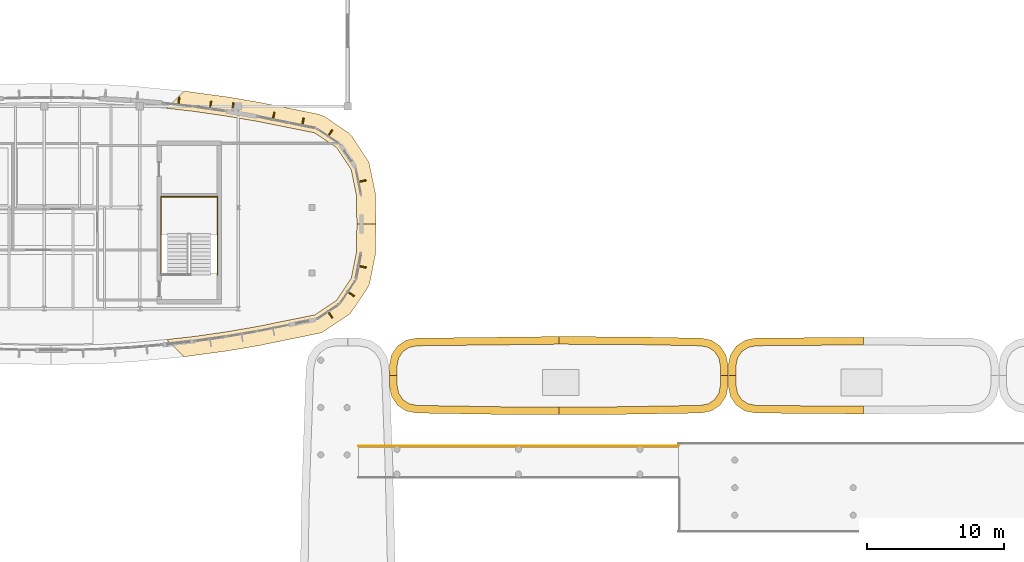
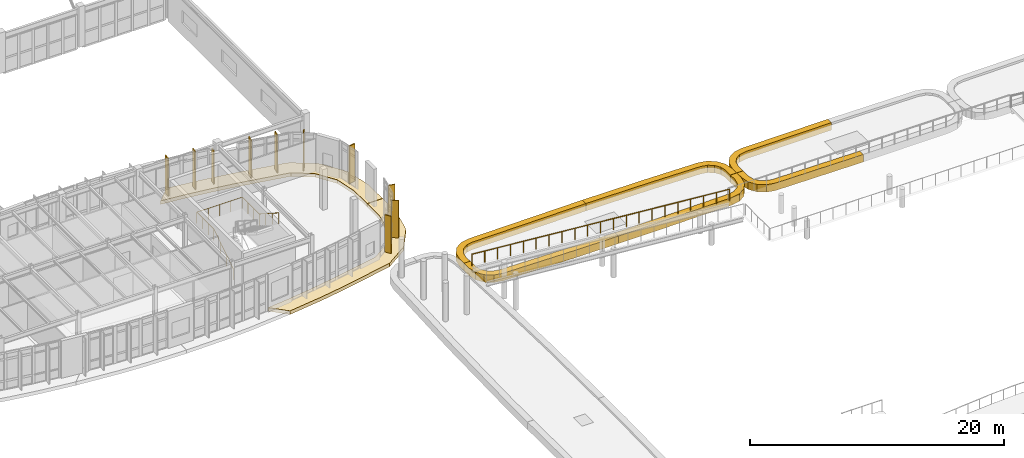
# One storey, part 105 of 111: 18 coverings, 2 railings, 1 shading device.
"""IFC4 building model written with IfcOpenShell, lengths in metres."""

from ifc_helpers import new_model, si_unit, direction, frame, origin, origin_2d, place, context, subcontext, project, spatial, polyline, rectangle, circle, outline, extrude, material, layer, layer_set, type_object, element, save


model = new_model("IFC4")

# Units and contexts
model_context = context("Model", 3, precision=1e-05, world=origin(), true_north=direction((0.0, 1.0)))
body_context = subcontext(model_context, "Body", "Model", "MODEL_VIEW")
ifc_project = project(units=[si_unit("LENGTHUNIT", "METRE"), si_unit("AREAUNIT", "SQUARE_METRE"), si_unit("VOLUMEUNIT", "CUBIC_METRE"), si_unit("PLANEANGLEUNIT", "RADIAN"), si_unit("MASSUNIT", "GRAM", prefix="KILO")], contexts=[model_context])

# Site, building, storey
site_placement = place(None, origin())
site = spatial("IfcSite", under=ifc_project, at=site_placement, CompositionType="ELEMENT")
building_placement = place(site_placement, origin())
building = spatial("IfcBuilding", under=site, at=building_placement, Name="Corveleigh Park Community Centre", CompositionType="ELEMENT")
storey_placement = place(building_placement, frame((0.0, 0.0, 4.800048828125)))
storey = spatial("IfcBuildingStorey", under=building, at=storey_placement, Name="L01", CompositionType="ELEMENT", Elevation=4.800048828125)

# Coverings
ifc_material_1 = material(Name="Warm buff ribbed architectural cladding", Category="masonry")
ifc_layer_1 = layer(ifc_material_1, 0.0849609375, Name="Warm buff ribbed architectural cladding", Category="masonry")
ifc_layer_set_1 = layer_set([ifc_layer_1], Name="Warm buff ribbed architectural cladding")
covering_type_1 = type_object("IfcCoveringType", Name="COV-CLD-BUF", PredefinedType="CLADDING", material=ifc_layer_set_1)
covering_1_placement = place(storey_placement, origin())
element("IfcCovering", 1, at=covering_1_placement, inside=storey, type_object=covering_type_1, Name="V2 L01 Brise-soleil blade 172", PredefinedType="CLADDING", context=body_context, shape_type="SweptSolid", body=[
    extrude(outline(polyline([(52.9990234375, 77.823974609375), (52.928955078125, 77.777099609375), (53.2509765625, 77.2939453125), (53.321044921875, 77.341064453125), (52.9990234375, 77.823974609375)])), origin(), (0.0, 0.0, 1.0), 3.619873046875),
])
covering_2_placement = place(storey_placement, origin())
element("IfcCovering", 2, at=covering_2_placement, inside=storey, type_object=covering_type_1, Name="V2 L01 Brise-soleil blade 173", PredefinedType="CLADDING", context=body_context, shape_type="SweptSolid", body=[
    extrude(outline(polyline([(54.423095703125, 79.27099609375), (54.3759765625, 79.200927734375), (54.85888671875, 78.87890625), (54.906005859375, 78.948974609375), (54.423095703125, 79.27099609375)])), origin(), (0.0, 0.0, 1.0), 3.619873046875),
])
covering_3_placement = place(storey_placement, origin())
element("IfcCovering", 3, at=covering_3_placement, inside=storey, type_object=covering_type_1, Name="V2 L01 Brise-soleil blade 174", PredefinedType="CLADDING", context=body_context, shape_type="SweptSolid", body=[
    extrude(outline(polyline([(55.18798828125, 81.1640625), (55.1708984375, 81.0810546875), (55.739990234375, 80.968017578125), (55.756103515625, 81.051025390625), (55.18798828125, 81.1640625)])), origin(), (0.0, 0.0, 1.0), 3.619873046875),
])
covering_4_placement = place(storey_placement, origin())
element("IfcCovering", 4, at=covering_4_placement, inside=storey, type_object=covering_type_1, Name="V2 L01 Brise-soleil blade 175", PredefinedType="CLADDING", context=body_context, shape_type="SweptSolid", body=[
    extrude(outline(polyline([(55.1708984375, 87.319091796875), (55.18798828125, 87.236083984375), (55.756103515625, 87.34912109375), (55.739990234375, 87.431884765625), (55.1708984375, 87.319091796875)])), origin(), (0.0, 0.0, 1.0), 3.656982421875),
])
covering_5_placement = place(storey_placement, origin())
element("IfcCovering", 5, at=covering_5_placement, inside=storey, type_object=covering_type_1, Name="V2 L01 Brise-soleil blade 176", PredefinedType="CLADDING", context=body_context, shape_type="SweptSolid", body=[
    extrude(outline(polyline([(52.928955078125, 90.623046875), (52.9990234375, 90.575927734375), (53.321044921875, 91.05908203125), (53.2509765625, 91.10595703125), (52.928955078125, 90.623046875)])), origin(), (0.0, 0.0, 1.0), 3.656982421875),
])
covering_6_placement = place(storey_placement, origin())
element("IfcCovering", 6, at=covering_6_placement, inside=storey, type_object=covering_type_1, Name="V2 L01 Brise-soleil blade 177", PredefinedType="CLADDING", context=body_context, shape_type="SweptSolid", body=[
    extrude(outline(polyline([(51.027099609375, 91.389892578125), (51.110107421875, 91.373046875), (51.22412109375, 91.94189453125), (51.139892578125, 91.958984375), (51.027099609375, 91.389892578125)])), origin(), (0.0, 0.0, 1.0), 3.656982421875),
])
covering_7_placement = place(storey_placement, origin())
element("IfcCovering", 7, at=covering_7_placement, inside=storey, type_object=covering_type_1, Name="V2 L01 Brise-soleil blade 178", PredefinedType="CLADDING", context=body_context, shape_type="SweptSolid", body=[
    extrude(outline(polyline([(48.884033203125, 91.818115234375), (48.967041015625, 91.802001953125), (49.08203125, 92.3701171875), (48.998046875, 92.386962890625), (48.884033203125, 91.818115234375)])), origin(), (0.0, 0.0, 1.0), 3.656982421875),
])
covering_8_placement = place(storey_placement, origin())
element("IfcCovering", 8, at=covering_8_placement, inside=storey, type_object=covering_type_1, Name="V2 L01 Brise-soleil blade 179", PredefinedType="CLADDING", context=body_context, shape_type="SweptSolid", body=[
    extrude(outline(polyline([(45.9208984375, 92.535888671875), (46.0048828125, 92.52197265625), (46.094970703125, 93.049072265625), (46.010986328125, 93.06396484375), (45.9208984375, 92.535888671875)])), origin(), (0.0, 0.0, 1.0), 3.18798828125),
])
covering_9_placement = place(storey_placement, origin())
element("IfcCovering", 9, at=covering_9_placement, inside=storey, type_object=covering_type_1, Name="V2 L01 Brise-soleil blade 180", PredefinedType="CLADDING", context=body_context, shape_type="SweptSolid", body=[
    extrude(outline(polyline([(44.283935546875, 92.60498046875), (44.367919921875, 92.593017578125), (44.449951171875, 93.1669921875), (44.365966796875, 93.178955078125), (44.283935546875, 92.60498046875)])), origin(), (0.0, 0.0, 1.0), 3.656982421875),
])
covering_10_placement = place(storey_placement, origin())
element("IfcCovering", 10, at=covering_10_placement, inside=storey, type_object=covering_type_1, Name="V2 L01 Brise-soleil blade 181", PredefinedType="CLADDING", context=body_context, shape_type="SweptSolid", body=[
    extrude(outline(polyline([(41.969970703125, 92.90087890625), (42.053955078125, 92.89111328125), (42.1201171875, 93.468017578125), (42.035888671875, 93.47705078125), (41.969970703125, 92.90087890625)])), origin(), (0.0, 0.0, 1.0), 3.656982421875),
])
ifc_material_2 = material(Name="White architectural fascia cladding", Category="masonry")
ifc_layer_2 = layer(ifc_material_2, 0.074951171875, Name="White architectural fascia cladding", Category="masonry")
ifc_layer_set_2 = layer_set([ifc_layer_2], Name="White architectural fascia cladding")
covering_type_2 = type_object("IfcCoveringType", Name="COV-CLD-WHT", PredefinedType="CLADDING", material=ifc_layer_set_2)
covering_11_placement = place(storey_placement, frame((0.0, 0.0, -0.52001953125)))
element("IfcCovering", 11, at=covering_11_placement, inside=storey, type_object=covering_type_2, Name="Covered Passage North Canopy West White Fascia 1", PredefinedType="CLADDING", context=body_context, shape_type="SweptSolid", body=[
    extrude(outline(polyline([(75.632080078125, 75.927001953125), (80.257080078125, 75.840087890625), (81.014892578125, 75.68896484375), (81.658935546875, 75.259033203125), (82.089111328125, 74.614990234375), (82.239013671875, 73.864013671875), (82.239990234375, 73.10498046875), (81.679931640625, 73.10498046875), (81.679931640625, 73.804931640625), (81.56201171875, 74.39697265625), (81.256103515625, 74.85595703125), (80.797119140625, 75.162109375), (80.199951171875, 75.281005859375), (75.6259765625, 75.366943359375), (69.85498046875, 75.39892578125), (69.85595703125, 75.958984375), (75.632080078125, 75.927001953125)])), origin(), (0.0, 0.0, 1.0), 0.719970703125),
])
covering_12_placement = place(storey_placement, frame((0.0, 0.0, -0.52001953125)))
element("IfcCovering", 12, at=covering_12_placement, inside=storey, type_object=covering_type_2, Name="Covered Passage North Canopy West White Fascia 2", PredefinedType="CLADDING", context=body_context, shape_type="SweptSolid", body=[
    extrude(outline(polyline([(57.4599609375, 73.85595703125), (57.611083984375, 74.614990234375), (58.041015625, 75.259033203125), (58.68505859375, 75.68896484375), (59.43603515625, 75.839111328125), (69.85302734375, 75.958984375), (69.85302734375, 75.39892578125), (59.4990234375, 75.281005859375), (58.903076171875, 75.162109375), (58.444091796875, 74.85595703125), (58.137939453125, 74.39697265625), (58.02001953125, 73.804931640625), (58.02001953125, 73.10498046875), (57.4599609375, 73.10498046875), (57.4599609375, 73.85595703125)])), origin(), (0.0, 0.0, 1.0), 0.719970703125),
])
covering_13_placement = place(storey_placement, frame((0.0, 0.0, -0.52001953125)))
element("IfcCovering", 13, at=covering_13_placement, inside=storey, type_object=covering_type_2, Name="Covered Passage North Canopy West White Fascia 3", PredefinedType="CLADDING", context=body_context, shape_type="SweptSolid", body=[
    extrude(outline(polyline([(58.677978515625, 70.514892578125), (58.041015625, 70.94091796875), (57.611083984375, 71.5849609375), (57.4609375, 72.3359375), (57.4599609375, 73.093017578125), (58.02001953125, 73.093017578125), (58.02001953125, 72.39501953125), (58.137939453125, 71.802978515625), (58.444091796875, 71.343994140625), (58.903076171875, 71.0380859375), (59.4990234375, 70.9189453125), (66.385009765625, 70.80810546875), (69.85302734375, 70.80810546875), (69.85302734375, 70.248046875), (66.3798828125, 70.248046875), (59.443115234375, 70.360107421875), (58.677978515625, 70.514892578125)])), origin(), (0.0, 0.0, 1.0), 0.719970703125),
])
covering_14_placement = place(storey_placement, frame((0.0, 0.0, -0.52001953125)))
element("IfcCovering", 14, at=covering_14_placement, inside=storey, type_object=covering_type_2, Name="Covered Passage North Canopy West White Fascia 4", PredefinedType="CLADDING", context=body_context, shape_type="SweptSolid", body=[
    extrude(outline(polyline([(82.239990234375, 72.343994140625), (82.089111328125, 71.5849609375), (81.658935546875, 70.94091796875), (81.014892578125, 70.510986328125), (80.263916015625, 70.361083984375), (73.320068359375, 70.248046875), (69.85595703125, 70.248046875), (69.85498046875, 70.80810546875), (73.31494140625, 70.80810546875), (80.200927734375, 70.9189453125), (80.797119140625, 71.0380859375), (81.256103515625, 71.343994140625), (81.56201171875, 71.802978515625), (81.679931640625, 72.39501953125), (81.679931640625, 73.093017578125), (82.239990234375, 73.093017578125), (82.239990234375, 72.343994140625)])), origin(), (0.0, 0.0, 1.0), 0.719970703125),
])
covering_15_placement = place(storey_placement, frame((0.0, 0.0, -0.52001953125)))
element("IfcCovering", 15, at=covering_15_placement, inside=storey, type_object=covering_type_2, Name="Covered Passage North Canopy Mid White Fascia 2", PredefinedType="CLADDING", context=body_context, shape_type="SweptSolid", body=[
    extrude(outline(polyline([(82.260009765625, 73.85595703125), (82.410888671875, 74.614990234375), (82.8359375, 75.2529296875), (83.491943359375, 75.69091796875), (84.242919921875, 75.840087890625), (92.14892578125, 75.907958984375), (92.14892578125, 75.347900390625), (84.299072265625, 75.281005859375), (83.702880859375, 75.162109375), (83.243896484375, 74.85595703125), (82.93798828125, 74.39697265625), (82.820068359375, 73.804931640625), (82.819091796875, 73.10693359375), (82.259033203125, 73.10791015625), (82.260009765625, 73.85595703125)])), origin(), (0.0, 0.0, 1.0), 0.719970703125),
])
covering_16_placement = place(storey_placement, frame((0.0, 0.0, -0.52001953125)))
element("IfcCovering", 16, at=covering_16_placement, inside=storey, type_object=covering_type_2, Name="Covered Passage North Canopy Mid White Fascia 3", PredefinedType="CLADDING", context=body_context, shape_type="SweptSolid", body=[
    extrude(outline(polyline([(83.47802734375, 70.514892578125), (82.841064453125, 70.94091796875), (82.410888671875, 71.5849609375), (82.260986328125, 72.3359375), (82.259033203125, 73.097900390625), (82.819091796875, 73.097900390625), (82.820068359375, 72.39599609375), (82.93798828125, 71.802978515625), (83.243896484375, 71.343994140625), (83.702880859375, 71.0380859375), (84.297119140625, 70.919921875), (92.14892578125, 70.85791015625), (92.14892578125, 70.298095703125), (84.243896484375, 70.360107421875), (83.47802734375, 70.514892578125)])), origin(), (0.0, 0.0, 1.0), 0.719970703125),
])
covering_17_placement = place(storey_placement, frame((0.0, 0.0, -0.300048828125)))
element("IfcCovering", 17, at=covering_17_placement, inside=storey, type_object=covering_type_2, Name="V2 L01 Horizontal Sun-Hood 1", PredefinedType="CLADDING", context=body_context, shape_type="SweptSolid", body=[
    extrude(outline(polyline([(42.43505859375, 93.925048828125), (45.632080078125, 93.492919921875), (47.9609375, 93.094970703125), (52.31591796875, 92.22412109375), (52.694091796875, 92.06689453125), (54.422119140625, 90.912109375), (54.7119140625, 90.6220703125), (55.964111328125, 88.712890625), (56.429931640625, 86.47705078125), (56.472900390625, 84.2119140625), (55.072998046875, 84.2109375), (55.051025390625, 86.235107421875), (54.6640625, 88.174072265625), (53.5869140625, 89.787109375), (51.97412109375, 90.864013671875), (47.719970703125, 91.716064453125), (45.429931640625, 92.10791015625), (43.12890625, 92.43701171875), (41.1689453125, 92.659912109375), (42.43505859375, 93.925048828125)])), origin(), (0.0, 0.0, 1.0), 0.340087890625),
])
covering_18_placement = place(storey_placement, frame((0.0, 0.0, -0.300048828125)))
element("IfcCovering", 18, at=covering_18_placement, inside=storey, type_object=covering_type_2, Name="V2 L01 Horizontal Sun-Hood 8", PredefinedType="CLADDING", context=body_context, shape_type="SweptSolid", body=[
    extrude(outline(polyline([(56.472900390625, 84.18798828125), (56.429931640625, 81.923095703125), (56.02392578125, 79.884033203125), (55.866943359375, 79.506103515625), (54.5810546875, 77.618896484375), (52.512939453125, 76.236083984375), (47.9609375, 75.304931640625), (45.632080078125, 74.906982421875), (42.43505859375, 74.47509765625), (41.1689453125, 75.739990234375), (43.12890625, 75.962890625), (45.429931640625, 76.2919921875), (47.719970703125, 76.68408203125), (51.97412109375, 77.535888671875), (53.5869140625, 78.613037109375), (54.6640625, 80.22607421875), (55.051025390625, 82.1650390625), (55.072998046875, 84.18896484375), (56.472900390625, 84.18798828125)])), origin(), (0.0, 0.0, 1.0), 0.340087890625),
])

# Railings
ifc_material_3 = material(Name="Stainless steel 316 balustrade", Category="steel")
railing_type_1 = type_object("IfcRailingType", Name="RLG-BAL-EXT-1100", PredefinedType="BALUSTRADE", material=ifc_material_3)
railing_1_placement = place(storey_placement, frame((78.60009765625, 67.949951171875, 1.949951171875)))
element("IfcRailing", 19, at=railing_1_placement, inside=storey, type_object=railing_type_1, Name="Courtyard West Roof Promenade Ramp Upper Guard R", PredefinedType="BALUSTRADE", context=body_context, shape_type="SweptSolid", body=[
    extrude(circle(Radius=0.02392578125, at=origin_2d()), frame((0.0, 0.0, 1.076171875), z_axis=(-0.996545973357, 0.0, 0.083042898465), x_axis=(0.0, -1.0, 0.0)), (0.0, 0.0, 1.0), 23.481201171875),
    extrude(circle(Radius=0.02099609375, at=origin_2d()), origin(), (0.0, 0.0, 1.0), 1.052001953125),
    extrude(circle(Radius=0.02099609375, at=origin_2d()), frame((-1.169921875, 0.0, 0.097412109375)), (0.0, 0.0, 1.0), 1.052001953125),
    extrude(circle(Radius=0.02099609375, at=origin_2d()), frame((-2.340087890625, 0.0, 0.195068359375)), (0.0, 0.0, 1.0), 1.052001953125),
    extrude(circle(Radius=0.02099609375, at=origin_2d()), frame((-3.510009765625, 0.0, 0.29248046875)), (0.0, 0.0, 1.0), 1.052001953125),
    extrude(circle(Radius=0.02099609375, at=origin_2d()), frame((-4.679931640625, 0.0, 0.389892578125)), (0.0, 0.0, 1.0), 1.052001953125),
    extrude(circle(Radius=0.02099609375, at=origin_2d()), frame((-5.85009765625, 0.0, 0.487548828125)), (0.0, 0.0, 1.0), 1.052001953125),
    extrude(circle(Radius=0.02099609375, at=origin_2d()), frame((-7.02001953125, 0.0, 0.5849609375)), (0.0, 0.0, 1.0), 1.052001953125),
    extrude(circle(Radius=0.02099609375, at=origin_2d()), frame((-8.18994140625, 0.0, 0.682373046875)), (0.0, 0.0, 1.0), 1.052001953125),
    extrude(circle(Radius=0.02099609375, at=origin_2d()), frame((-9.360107421875, 0.0, 0.780029296875)), (0.0, 0.0, 1.0), 1.052001953125),
    extrude(circle(Radius=0.02099609375, at=origin_2d()), frame((-10.530029296875, 0.0, 0.87744140625)), (0.0, 0.0, 1.0), 1.052001953125),
    extrude(circle(Radius=0.02099609375, at=origin_2d()), frame((-11.7001953125, 0.0, 0.97509765625)), (0.0, 0.0, 1.0), 1.052001953125),
    extrude(circle(Radius=0.02099609375, at=origin_2d()), frame((-12.8701171875, 0.0, 1.072509765625)), (0.0, 0.0, 1.0), 1.052001953125),
    extrude(circle(Radius=0.02099609375, at=origin_2d()), frame((-14.0400390625, 0.0, 1.169921875)), (0.0, 0.0, 1.0), 1.052001953125),
    extrude(circle(Radius=0.02099609375, at=origin_2d()), frame((-15.210205078125, 0.0, 1.267578125)), (0.0, 0.0, 1.0), 1.052001953125),
    extrude(circle(Radius=0.02099609375, at=origin_2d()), frame((-16.380126953125, 0.0, 1.364990234375)), (0.0, 0.0, 1.0), 1.052001953125),
    extrude(circle(Radius=0.02099609375, at=origin_2d()), frame((-17.550048828125, 0.0, 1.46240234375)), (0.0, 0.0, 1.0), 1.052001953125),
    extrude(circle(Radius=0.02099609375, at=origin_2d()), frame((-18.72021484375, 0.0, 1.56005859375)), (0.0, 0.0, 1.0), 1.052001953125),
    extrude(circle(Radius=0.02099609375, at=origin_2d()), frame((-19.89013671875, 0.0, 1.657470703125)), (0.0, 0.0, 1.0), 1.052001953125),
    extrude(circle(Radius=0.02099609375, at=origin_2d()), frame((-21.06005859375, 0.0, 1.7548828125)), (0.0, 0.0, 1.0), 1.052001953125),
    extrude(circle(Radius=0.02099609375, at=origin_2d()), frame((-22.230224609375, 0.0, 1.8525390625)), (0.0, 0.0, 1.0), 1.052001953125),
    extrude(circle(Radius=0.02099609375, at=origin_2d()), frame((-23.400146484375, 0.0, 1.949951171875)), (0.0, 0.0, 1.0), 1.052001953125),
])
railing_type_2 = type_object("IfcRailingType", Name="RLG-BAL-INT-1100", PredefinedType="BALUSTRADE", material=ifc_material_3)
railing_2_placement = place(storey_placement, frame((40.735107421875, 80.47998046875, 0.0)))
element("IfcRailing", 20, at=railing_2_placement, inside=storey, type_object=railing_type_2, Name="Stair ST3 perimeter guard L01", PredefinedType="BALUSTRADE", context=body_context, shape_type="SweptSolid", body=[
    extrude(circle(Radius=0.02392578125, at=origin_2d()), frame((0.0, 0.0, 1.076171875), z_axis=(0.0, 0.840498953926, 0.541813167475), x_axis=(-1.0, 0.0, 0.0)), (0.0, 0.0, 1.0), 3.598876953125),
    extrude(circle(Radius=0.02392578125, at=origin_2d()), frame((0.0, 3.02490234375, 3.02587890625), z_axis=(0.0, 1.0, 0.0), x_axis=(-1.0, 0.0, 0.0)), (0.0, 0.0, 1.0), 2.688232421875),
    extrude(circle(Radius=0.02392578125, at=origin_2d()), frame((0.0, 5.713134765625, 3.02587890625), z_axis=(1.0, 0.0, 0.0), x_axis=(0.0, 1.0, 0.0)), (0.0, 0.0, 1.0), 4.130859375),
    extrude(circle(Radius=0.02392578125, at=origin_2d()), frame((4.130859375, 5.713134765625, 3.02587890625), z_axis=(0.0, -1.0, 0.0), x_axis=(1.0, 0.0, 0.0)), (0.0, 0.0, 1.0), 2.688232421875),
    extrude(circle(Radius=0.02392578125, at=origin_2d()), frame((4.130859375, 3.02490234375, 3.02587890625), z_axis=(0.0, -0.840498953926, 0.541813167475), x_axis=(1.0, 0.0, 0.0)), (0.0, 0.0, 1.0), 3.598876953125),
    extrude(circle(Radius=0.02099609375, at=origin_2d()), origin(), (0.0, 0.0, 1.0), 1.052001953125),
    extrude(circle(Radius=0.02099609375, at=origin_2d()), frame((0.0, 1.00830078125, 0.64990234375)), (0.0, 0.0, 1.0), 1.052001953125),
    extrude(circle(Radius=0.02099609375, at=origin_2d()), frame((0.0, 2.0166015625, 1.300048828125)), (0.0, 0.0, 1.0), 1.052001953125),
    extrude(circle(Radius=0.02099609375, at=origin_2d()), frame((0.0, 3.02490234375, 1.949951171875)), (0.0, 0.0, 1.0), 1.052001953125),
    extrude(circle(Radius=0.02099609375, at=origin_2d()), frame((0.0, 3.9208984375, 1.949951171875)), (0.0, 0.0, 1.0), 1.052001953125),
    extrude(circle(Radius=0.02099609375, at=origin_2d()), frame((0.0, 4.817138671875, 1.949951171875)), (0.0, 0.0, 1.0), 1.052001953125),
    extrude(circle(Radius=0.02099609375, at=origin_2d()), frame((0.0, 5.713134765625, 1.949951171875)), (0.0, 0.0, 1.0), 1.052001953125),
    extrude(circle(Radius=0.02099609375, at=origin_2d()), frame((1.03271484375, 5.713134765625, 1.949951171875)), (0.0, 0.0, 1.0), 1.052001953125),
    extrude(circle(Radius=0.02099609375, at=origin_2d()), frame((2.0654296875, 5.713134765625, 1.949951171875)), (0.0, 0.0, 1.0), 1.052001953125),
    extrude(circle(Radius=0.02099609375, at=origin_2d()), frame((3.09814453125, 5.713134765625, 1.949951171875)), (0.0, 0.0, 1.0), 1.052001953125),
    extrude(circle(Radius=0.02099609375, at=origin_2d()), frame((4.130859375, 5.713134765625, 1.949951171875)), (0.0, 0.0, 1.0), 1.052001953125),
    extrude(circle(Radius=0.02099609375, at=origin_2d()), frame((4.130859375, 4.817138671875, 1.949951171875)), (0.0, 0.0, 1.0), 1.052001953125),
    extrude(circle(Radius=0.02099609375, at=origin_2d()), frame((4.130859375, 3.9208984375, 1.949951171875)), (0.0, 0.0, 1.0), 1.052001953125),
    extrude(circle(Radius=0.02099609375, at=origin_2d()), frame((4.130859375, 3.02490234375, 1.949951171875)), (0.0, 0.0, 1.0), 1.052001953125),
    extrude(circle(Radius=0.02099609375, at=origin_2d()), frame((4.130859375, 2.0166015625, 2.599853515625)), (0.0, 0.0, 1.0), 1.052001953125),
    extrude(circle(Radius=0.02099609375, at=origin_2d()), frame((4.130859375, 1.00830078125, 3.25)), (0.0, 0.0, 1.0), 1.052001953125),
    extrude(circle(Radius=0.02099609375, at=origin_2d()), frame((4.130859375, 0.0, 3.89990234375)), (0.0, 0.0, 1.0), 1.052001953125),
])

# Shading device
ifc_material_4 = material(Name="Terracotta-anodised aluminium fin", Category="masonry")
shading_device_type = type_object("IfcShadingDeviceType", Name="SHD-FIN-TER-450", PredefinedType="USERDEFINED", material=ifc_material_4)
shading_device_placement = place(storey_placement, frame((45.9951171875, 92.716064453125, 0.25), z_axis=(0.0, 0.0, 1.0), x_axis=(0.16846025177, 0.985708447551, 0.0)))
element("IfcShadingDevice", 21, at=shading_device_placement, inside=storey, type_object=shading_device_type, Name="Terracotta brise-soleil fin 28", ObjectType="FIN", PredefinedType="USERDEFINED", context=body_context, shape_type="SweptSolid", body=[
    extrude(rectangle(XDim=0.449951171875, YDim=0.06494140625, at=origin_2d()), origin(), (0.0, 0.0, 1.0), 2.7880859375),
])

save(model, "model.ifc")
